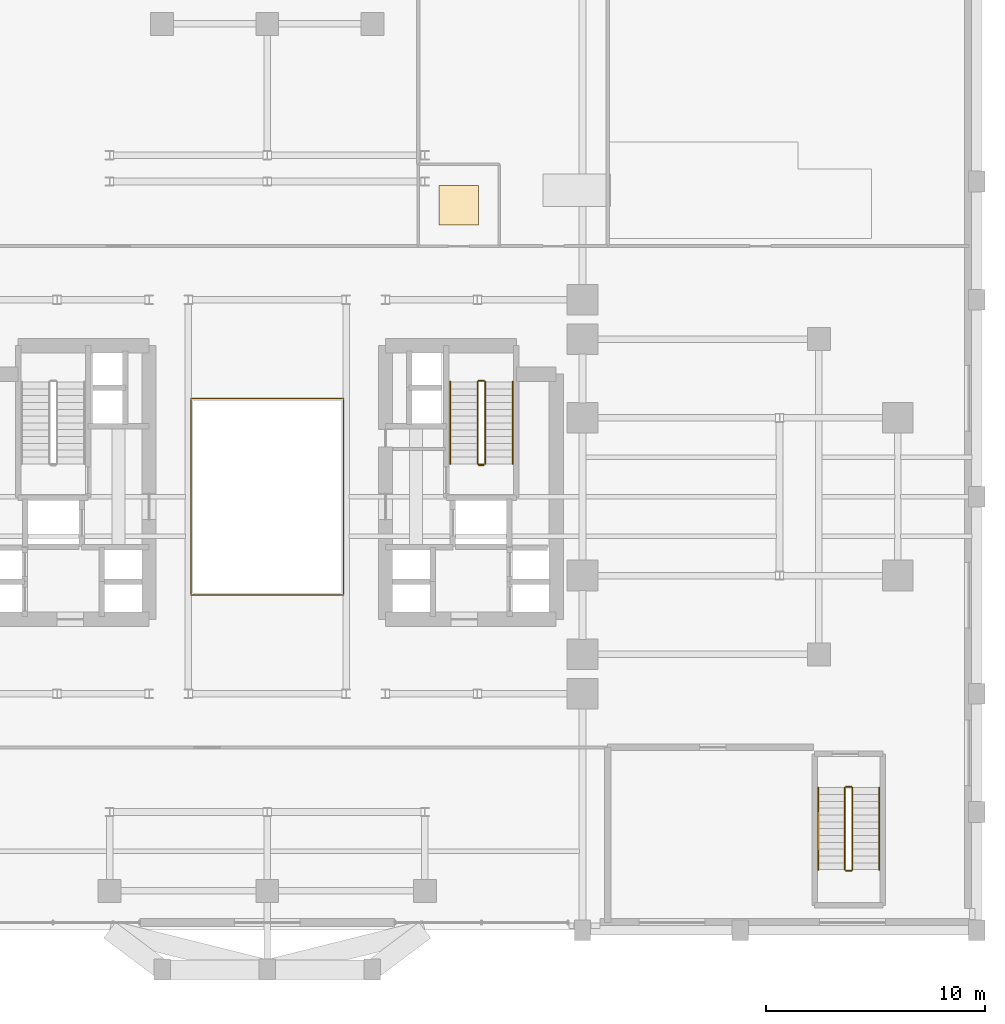
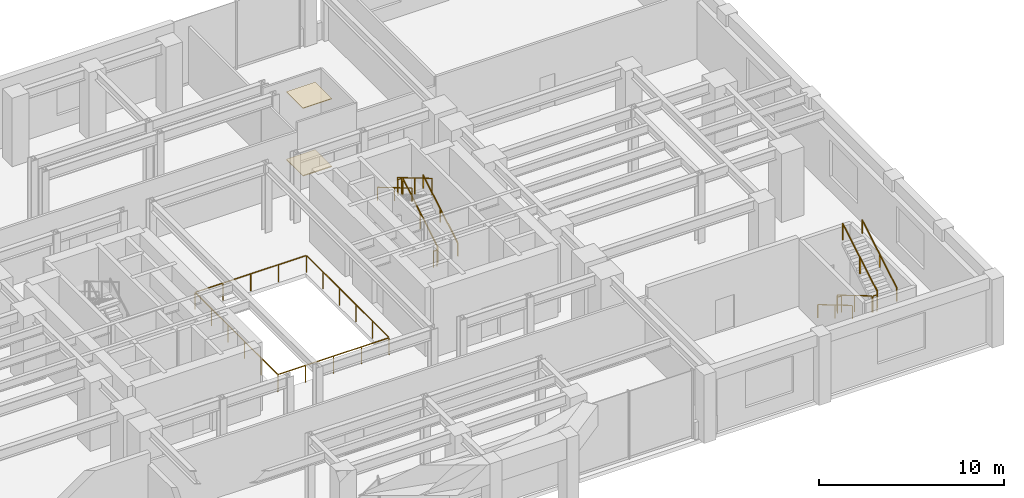
# One storey, part 14 of 14: 13 railings, 2 coverings.
"""IFC4 building model written with IfcOpenShell, lengths in metres."""

from ifc_helpers import new_model, si_unit, direction, frame, origin, origin_2d, place, context, subcontext, project, spatial, rectangle, extrude, source, transform, mapped, material, layer, layer_set, type_object, element, save


model = new_model("IFC4")

# Units and contexts
model_context = context("Model", 3, precision=1e-05, world=origin(), true_north=direction((0.0, 1.0)))
body_context = subcontext(model_context, "Body", "Model", "MODEL_VIEW")
ifc_project = project(units=[si_unit("LENGTHUNIT", "METRE"), si_unit("AREAUNIT", "SQUARE_METRE"), si_unit("VOLUMEUNIT", "CUBIC_METRE"), si_unit("PLANEANGLEUNIT", "RADIAN"), si_unit("MASSUNIT", "GRAM", prefix="KILO")], contexts=[model_context])

# Site, building, storey
site_placement = place(None, origin())
site = spatial("IfcSite", under=ifc_project, at=site_placement, CompositionType="ELEMENT")
building_placement = place(site_placement, origin())
building = spatial("IfcBuilding", under=site, at=building_placement, Name="Keilestroom Media Tower", CompositionType="ELEMENT")
storey_placement = place(building_placement, frame((0.0, 0.0, 5.39990234375)))
storey = spatial("IfcBuildingStorey", under=building, at=storey_placement, Name="L01", CompositionType="ELEMENT", Elevation=5.39990234375)

# Railings
ifc_material_1 = material(Name="Laminated Safety Glass & Bronze Steel", Category="steel")
railing_type_1 = type_object("IfcRailingType", Name="Atrium-Void-Guard-Balustrade-1150", PredefinedType="BALUSTRADE", material=ifc_material_1)
railing_1_placement = place(storey_placement, frame((-3.47998046875, -4.47998046875, 0.0)))
element("IfcRailing", 1, at=railing_1_placement, inside=storey, type_object=railing_type_1, Name="L01 Central Atrium Void Balustrade", PredefinedType="BALUSTRADE", context=body_context, shape_type="SweptSolid", body=[
    extrude(rectangle(XDim=0.048095703125, YDim=0.048095703125, at=origin_2d()), frame((0.0, 0.0, 1.1259765625), z_axis=(1.0, 0.0, 0.0), x_axis=(0.0, 1.0, 0.0)), (0.0, 0.0, 1.0), 6.911865234375),
    extrude(rectangle(XDim=0.048095703125, YDim=0.048095703125, at=origin_2d()), frame((6.9599609375, 0.048095703125, 1.1259765625), z_axis=(0.0, 1.0, 0.0), x_axis=(-1.0, 0.0, 0.0)), (0.0, 0.0, 1.0), 8.86376953125),
    extrude(rectangle(XDim=0.048095703125, YDim=0.048095703125, at=origin_2d()), frame((6.911865234375, 8.9599609375, 1.1259765625), z_axis=(-1.0, 0.0, 0.0), x_axis=(0.0, -1.0, 0.0)), (0.0, 0.0, 1.0), 6.86376953125),
    extrude(rectangle(XDim=0.048095703125, YDim=0.048095703125, at=origin_2d()), frame((0.0, 8.911865234375, 1.1259765625), z_axis=(0.0, -1.0, 0.0), x_axis=(1.0, 0.0, 0.0)), (0.0, 0.0, 1.0), 8.86376953125),
    extrude(rectangle(XDim=0.0419921875, YDim=0.0419921875, at=origin_2d()), origin(), (0.0, 0.0, 1.0), 1.09375),
    extrude(rectangle(XDim=0.0419921875, YDim=0.0419921875, at=origin_2d()), frame((1.739990234375, 0.0, 0.0)), (0.0, 0.0, 1.0), 1.09375),
    extrude(rectangle(XDim=0.0419921875, YDim=0.0419921875, at=origin_2d()), frame((3.47998046875, 0.0, 0.0)), (0.0, 0.0, 1.0), 1.09375),
    extrude(rectangle(XDim=0.0419921875, YDim=0.0419921875, at=origin_2d()), frame((5.219970703125, 0.0, 0.0)), (0.0, 0.0, 1.0), 1.09375),
    extrude(rectangle(XDim=0.0419921875, YDim=0.0419921875, at=origin_2d()), frame((6.9599609375, 0.0, 0.0)), (0.0, 0.0, 1.0), 1.09375),
    extrude(rectangle(XDim=0.0419921875, YDim=0.0419921875, at=origin_2d()), frame((6.9599609375, 1.7919921875, 0.0)), (0.0, 0.0, 1.0), 1.09375),
    extrude(rectangle(XDim=0.0419921875, YDim=0.0419921875, at=origin_2d()), frame((6.9599609375, 3.583984375, 0.0)), (0.0, 0.0, 1.0), 1.09375),
    extrude(rectangle(XDim=0.0419921875, YDim=0.0419921875, at=origin_2d()), frame((6.9599609375, 5.3759765625, 0.0)), (0.0, 0.0, 1.0), 1.09375),
    extrude(rectangle(XDim=0.0419921875, YDim=0.0419921875, at=origin_2d()), frame((6.9599609375, 7.16796875, 0.0)), (0.0, 0.0, 1.0), 1.09375),
    extrude(rectangle(XDim=0.0419921875, YDim=0.0419921875, at=origin_2d()), frame((6.9599609375, 8.9599609375, 0.0)), (0.0, 0.0, 1.0), 1.09375),
    extrude(rectangle(XDim=0.0419921875, YDim=0.0419921875, at=origin_2d()), frame((5.219970703125, 8.9599609375, 0.0)), (0.0, 0.0, 1.0), 1.09375),
    extrude(rectangle(XDim=0.0419921875, YDim=0.0419921875, at=origin_2d()), frame((3.47998046875, 8.9599609375, 0.0)), (0.0, 0.0, 1.0), 1.09375),
    extrude(rectangle(XDim=0.0419921875, YDim=0.0419921875, at=origin_2d()), frame((1.739990234375, 8.9599609375, 0.0)), (0.0, 0.0, 1.0), 1.09375),
    extrude(rectangle(XDim=0.0419921875, YDim=0.0419921875, at=origin_2d()), frame((0.0, 8.9599609375, 0.0)), (0.0, 0.0, 1.0), 1.09375),
    extrude(rectangle(XDim=0.0419921875, YDim=0.0419921875, at=origin_2d()), frame((0.0, 7.16796875, 0.0)), (0.0, 0.0, 1.0), 1.09375),
    extrude(rectangle(XDim=0.0419921875, YDim=0.0419921875, at=origin_2d()), frame((0.0, 5.3759765625, 0.0)), (0.0, 0.0, 1.0), 1.09375),
    extrude(rectangle(XDim=0.0419921875, YDim=0.0419921875, at=origin_2d()), frame((0.0, 3.583984375, 0.0)), (0.0, 0.0, 1.0), 1.09375),
    extrude(rectangle(XDim=0.0419921875, YDim=0.0419921875, at=origin_2d()), frame((0.0, 1.7919921875, 0.0)), (0.0, 0.0, 1.0), 1.09375),
])
ifc_material_2 = material(Name="Brushed Stainless Steel 1.4301", Category="steel")
railing_type_2 = type_object("IfcRailingType", Name="Stair-Pitch-Handrail-920", PredefinedType="HANDRAIL", material=ifc_material_2)
railing_2_placement = place(storey_placement, frame((11.2099609375, 1.5, 0.184814453125)))
element("IfcRailing", 2, at=railing_2_placement, inside=storey, type_object=railing_type_2, Name="L01 ST-2 stair handrail 1", PredefinedType="HANDRAIL", context=body_context, shape_type="SweptSolid", body=[
    extrude(rectangle(XDim=0.048095703125, YDim=0.048095703125, at=origin_2d()), frame((0.0, 0.0, 0.8759765625), z_axis=(0.0, 0.860621358501, 0.509245399872), x_axis=(-1.0, 0.0, 0.0)), (0.0, 0.0, 1.0), 4.350341796875),
    extrude(rectangle(XDim=0.0419921875, YDim=0.0419921875, at=origin_2d()), origin(), (0.0, 0.0, 1.0), 0.84375),
    extrude(rectangle(XDim=0.0419921875, YDim=0.0419921875, at=origin_2d()), frame((0.0, 1.8720703125, 1.107666015625)), (0.0, 0.0, 1.0), 0.84375),
    extrude(rectangle(XDim=0.0419921875, YDim=0.0419921875, at=origin_2d()), frame((0.0, 3.743896484375, 2.21533203125)), (0.0, 0.0, 1.0), 0.84375),
])
for number, where, name in (
    (3, (8.35009765625, 5.243896484375, 2.584716796875), "L01 ST-2 stair handrail 2"),
    (4, (25.169921875, -13.2900390625, 0.184814453125), "L01 ST-4 stair handrail 1"),
):
    element("IfcRailing", number, at=place(storey_placement, frame(where)), inside=storey, type_object=railing_type_2, Name=name, PredefinedType="HANDRAIL", context=body_context, shape_type="SweptSolid", body=[
        extrude(rectangle(XDim=0.048095703125, YDim=0.048095703125, at=origin_2d()), frame((0.0, 0.0, 0.8759765625), z_axis=(0.0, -0.860621358501, 0.509245399872), x_axis=(1.0, 0.0, 0.0)), (0.0, 0.0, 1.0), 4.350341796875),
        extrude(rectangle(XDim=0.0419921875, YDim=0.0419921875, at=origin_2d()), origin(), (0.0, 0.0, 1.0), 0.84375),
        extrude(rectangle(XDim=0.0419921875, YDim=0.0419921875, at=origin_2d()), frame((0.0, -1.8720703125, 1.107666015625)), (0.0, 0.0, 1.0), 0.84375),
        extrude(rectangle(XDim=0.0419921875, YDim=0.0419921875, at=origin_2d()), frame((0.0, -3.743896484375, 2.21533203125)), (0.0, 0.0, 1.0), 0.84375),
    ])
railing_3_placement = place(storey_placement, frame((27.949951171875, -17.033935546875, 2.584716796875)))
element("IfcRailing", 5, at=railing_3_placement, inside=storey, type_object=railing_type_2, Name="L01 ST-4 stair handrail 2", PredefinedType="HANDRAIL", context=body_context, shape_type="SweptSolid", body=[
    extrude(rectangle(XDim=0.048095703125, YDim=0.048095703125, at=origin_2d()), frame((0.0, 0.0, 0.8759765625), z_axis=(0.0, 0.860621358501, 0.509245399872), x_axis=(-1.0, 0.0, 0.0)), (0.0, 0.0, 1.0), 4.350341796875),
    extrude(rectangle(XDim=0.0419921875, YDim=0.0419921875, at=origin_2d()), origin(), (0.0, 0.0, 1.0), 0.84375),
    extrude(rectangle(XDim=0.0419921875, YDim=0.0419921875, at=origin_2d()), frame((0.0, 1.8720703125, 1.107666015625)), (0.0, 0.0, 1.0), 0.84375),
    extrude(rectangle(XDim=0.0419921875, YDim=0.0419921875, at=origin_2d()), frame((0.0, 3.743896484375, 2.21533203125)), (0.0, 0.0, 1.0), 0.84375),
])
ifc_material_3 = material(Name="Painted Steel Balustrade", Category="steel")
railing_type_3 = type_object("IfcRailingType", Name="Stair-Well-And-Landing-Guard-1100", PredefinedType="GUARDRAIL", material=ifc_material_3)
railing_4_placement = place(storey_placement, frame((9.949951171875, 1.5, 0.184814453125)))
element("IfcRailing", 6, at=railing_4_placement, inside=storey, type_object=railing_type_3, Name="L01 ST-2 stair guard 1", PredefinedType="GUARDRAIL", context=body_context, shape_type="SweptSolid", body=[
    extrude(rectangle(XDim=0.048095703125, YDim=0.048095703125, at=origin_2d()), frame((0.0, 0.0, 1.076171875), z_axis=(0.0, 0.860621358501, 0.509245399872), x_axis=(-1.0, 0.0, 0.0)), (0.0, 0.0, 1.0), 4.350341796875),
    extrude(rectangle(XDim=0.0419921875, YDim=0.0419921875, at=origin_2d()), origin(), (0.0, 0.0, 1.0), 1.0439453125),
    extrude(rectangle(XDim=0.0419921875, YDim=0.0419921875, at=origin_2d()), frame((0.0, 1.8720703125, 1.107666015625)), (0.0, 0.0, 1.0), 1.0439453125),
    extrude(rectangle(XDim=0.0419921875, YDim=0.0419921875, at=origin_2d()), frame((0.0, 3.743896484375, 2.21533203125)), (0.0, 0.0, 1.0), 1.0439453125),
])
railing_5_placement = place(storey_placement, frame((9.89990234375, 5.2939453125, 2.400146484375)))
element("IfcRailing", 7, at=railing_5_placement, inside=storey, type_object=railing_type_3, Name="L01 ST-2 stair guard 2", PredefinedType="GUARDRAIL", context=body_context, shape_type="SweptSolid", body=[
    extrude(rectangle(XDim=0.048095703125, YDim=0.048095703125, at=origin_2d()), frame((0.0, 0.0, 1.076171875), z_axis=(-1.0, 0.0, 0.0), x_axis=(0.0, -1.0, 0.0)), (0.0, 0.0, 1.0), 0.239990234375),
    extrude(rectangle(XDim=0.0419921875, YDim=0.0419921875, at=origin_2d()), origin(), (0.0, 0.0, 1.0), 1.0439453125),
    extrude(rectangle(XDim=0.0419921875, YDim=0.0419921875, at=origin_2d()), frame((-0.239990234375, 0.0, 0.0)), (0.0, 0.0, 1.0), 1.0439453125),
])
railing_6_placement = place(storey_placement, frame((9.610107421875, 5.243896484375, 2.584716796875)))
element("IfcRailing", 8, at=railing_6_placement, inside=storey, type_object=railing_type_3, Name="L01 ST-2 stair guard 3", PredefinedType="GUARDRAIL", context=body_context, shape_type="SweptSolid", body=[
    extrude(rectangle(XDim=0.048095703125, YDim=0.048095703125, at=origin_2d()), frame((0.0, 0.0, 1.076171875), z_axis=(0.0, -0.860621358501, 0.509245399872), x_axis=(1.0, 0.0, 0.0)), (0.0, 0.0, 1.0), 4.350341796875),
    extrude(rectangle(XDim=0.0419921875, YDim=0.0419921875, at=origin_2d()), origin(), (0.0, 0.0, 1.0), 1.0439453125),
    extrude(rectangle(XDim=0.0419921875, YDim=0.0419921875, at=origin_2d()), frame((0.0, -1.8720703125, 1.107666015625)), (0.0, 0.0, 1.0), 1.0439453125),
    extrude(rectangle(XDim=0.0419921875, YDim=0.0419921875, at=origin_2d()), frame((0.0, -3.743896484375, 2.21533203125)), (0.0, 0.0, 1.0), 1.0439453125),
])
railing_7_placement = place(storey_placement, frame((9.89990234375, 1.449951171875, 0.0)))
element("IfcRailing", 9, at=railing_7_placement, inside=storey, type_object=railing_type_3, Name="L01 ST-2 stair guard 4", PredefinedType="GUARDRAIL", context=body_context, shape_type="SweptSolid", body=[
    extrude(rectangle(XDim=0.048095703125, YDim=0.048095703125, at=origin_2d()), frame((0.0, 0.0, 1.076171875), z_axis=(-1.0, 0.0, 0.0), x_axis=(0.0, -1.0, 0.0)), (0.0, 0.0, 1.0), 0.239990234375),
    extrude(rectangle(XDim=0.0419921875, YDim=0.0419921875, at=origin_2d()), origin(), (0.0, 0.0, 1.0), 1.0439453125),
    extrude(rectangle(XDim=0.0419921875, YDim=0.0419921875, at=origin_2d()), frame((-0.239990234375, 0.0, 0.0)), (0.0, 0.0, 1.0), 1.0439453125),
])
railing_8_placement = place(storey_placement, frame((26.389892578125, -13.2900390625, 0.184814453125)))
element("IfcRailing", 10, at=railing_8_placement, inside=storey, type_object=railing_type_3, Name="L01 ST-4 stair guard 1", PredefinedType="GUARDRAIL", context=body_context, shape_type="SweptSolid", body=[
    extrude(rectangle(XDim=0.048095703125, YDim=0.048095703125, at=origin_2d()), frame((0.0, 0.0, 1.076171875), z_axis=(0.0, -0.860621358501, 0.509245399872), x_axis=(1.0, 0.0, 0.0)), (0.0, 0.0, 1.0), 4.350341796875),
    extrude(rectangle(XDim=0.0419921875, YDim=0.0419921875, at=origin_2d()), origin(), (0.0, 0.0, 1.0), 1.0439453125),
    extrude(rectangle(XDim=0.0419921875, YDim=0.0419921875, at=origin_2d()), frame((0.0, -1.8720703125, 1.107666015625)), (0.0, 0.0, 1.0), 1.0439453125),
    extrude(rectangle(XDim=0.0419921875, YDim=0.0419921875, at=origin_2d()), frame((0.0, -3.743896484375, 2.21533203125)), (0.0, 0.0, 1.0), 1.0439453125),
])
railing_9_placement = place(storey_placement, frame((26.43994140625, -17.083984375, 2.400146484375)))
element("IfcRailing", 11, at=railing_9_placement, inside=storey, type_object=railing_type_3, Name="L01 ST-4 stair guard 2", PredefinedType="GUARDRAIL", context=body_context, shape_type="SweptSolid", body=[
    extrude(rectangle(XDim=0.048095703125, YDim=0.048095703125, at=origin_2d()), frame((0.0, 0.0, 1.076171875), z_axis=(1.0, 0.0, 0.0), x_axis=(0.0, 1.0, 0.0)), (0.0, 0.0, 1.0), 0.239990234375),
    extrude(rectangle(XDim=0.0419921875, YDim=0.0419921875, at=origin_2d()), origin(), (0.0, 0.0, 1.0), 1.0439453125),
    extrude(rectangle(XDim=0.0419921875, YDim=0.0419921875, at=origin_2d()), frame((0.239990234375, 0.0, 0.0)), (0.0, 0.0, 1.0), 1.0439453125),
])
railing_10_placement = place(storey_placement, frame((26.72998046875, -17.033935546875, 2.584716796875)))
element("IfcRailing", 12, at=railing_10_placement, inside=storey, type_object=railing_type_3, Name="L01 ST-4 stair guard 3", PredefinedType="GUARDRAIL", context=body_context, shape_type="SweptSolid", body=[
    extrude(rectangle(XDim=0.048095703125, YDim=0.048095703125, at=origin_2d()), frame((0.0, 0.0, 1.076171875), z_axis=(0.0, 0.860621358501, 0.509245399872), x_axis=(-1.0, 0.0, 0.0)), (0.0, 0.0, 1.0), 4.350341796875),
    extrude(rectangle(XDim=0.0419921875, YDim=0.0419921875, at=origin_2d()), origin(), (0.0, 0.0, 1.0), 1.0439453125),
    extrude(rectangle(XDim=0.0419921875, YDim=0.0419921875, at=origin_2d()), frame((0.0, 1.8720703125, 1.107666015625)), (0.0, 0.0, 1.0), 1.0439453125),
    extrude(rectangle(XDim=0.0419921875, YDim=0.0419921875, at=origin_2d()), frame((0.0, 3.743896484375, 2.21533203125)), (0.0, 0.0, 1.0), 1.0439453125),
])
railing_11_placement = place(storey_placement, frame((26.43994140625, -13.239990234375, 0.0)))
element("IfcRailing", 13, at=railing_11_placement, inside=storey, type_object=railing_type_3, Name="L01 ST-4 stair guard 4", PredefinedType="GUARDRAIL", context=body_context, shape_type="SweptSolid", body=[
    extrude(rectangle(XDim=0.048095703125, YDim=0.048095703125, at=origin_2d()), frame((0.0, 0.0, 1.076171875), z_axis=(1.0, 0.0, 0.0), x_axis=(0.0, 1.0, 0.0)), (0.0, 0.0, 1.0), 0.239990234375),
    extrude(rectangle(XDim=0.0419921875, YDim=0.0419921875, at=origin_2d()), origin(), (0.0, 0.0, 1.0), 1.0439453125),
    extrude(rectangle(XDim=0.0419921875, YDim=0.0419921875, at=origin_2d()), frame((0.239990234375, 0.0, 0.0)), (0.0, 0.0, 1.0), 1.0439453125),
])

# Coverings
ifc_material_4 = material(Name="Mineral-Fibre Acoustic Ceiling Tile", Category="gypsum")
ifc_layer_1 = layer(ifc_material_4, 0.0400390625)
ifc_layer_set_1 = layer_set([ifc_layer_1], Name="Mineral-Fibre Acoustic Ceiling Tile")
covering_type_1 = type_object("IfcCoveringType", Name="Suspended-Acoustic-Ceiling-40", PredefinedType="CEILING", material=ifc_layer_set_1)
shared_shape_1 = source(origin(), body_context, "Body", "SweptSolid", [
    extrude(rectangle(XDim=1.800048828125, YDim=1.800048828125, at=origin_2d()), origin(), (0.0, 0.0, 1.0), 0.0400390625),
])
covering_1_placement = place(storey_placement, frame((8.75, 13.31494140625, 4.47998046875), z_axis=(0.0, 0.0, 1.0), x_axis=(1.0, 0.0, 0.0)))
element("IfcCovering", 14, at=covering_1_placement, inside=storey, type_object=covering_type_1, Name="L01 Suspended Acoustic Ceiling 1", PredefinedType="CEILING", context=body_context, shape_type="MappedRepresentation", body=[
    mapped(shared_shape_1, transform((0.0, 0.0, 0.0), x_axis=(1.0, 0.0, 0.0), y_axis=(0.0, 1.0, 0.0), z_axis=(0.0, 0.0, 1.0), scale=1.0)),
])
ifc_material_5 = material(Name="Calcium-Sulphate Raised Access Floor", Category="concrete")
ifc_layer_2 = layer(ifc_material_5, 0.06005859375)
ifc_layer_set_2 = layer_set([ifc_layer_2], Name="Calcium-Sulphate Raised Access Floor")
covering_type_2 = type_object("IfcCoveringType", Name="Raised-Access-And-Acoustic-Flooring-60", PredefinedType="FLOORING", material=ifc_layer_set_2)
shared_shape_2 = source(origin(), body_context, "Body", "SweptSolid", [
    extrude(rectangle(XDim=1.800048828125, YDim=1.800048828125, at=origin_2d()), origin(), (0.0, 0.0, 1.0), 0.06005859375),
])
covering_2_placement = place(storey_placement, frame((8.75, 13.31494140625, 0.0), z_axis=(0.0, 0.0, 1.0), x_axis=(1.0, 0.0, 0.0)))
element("IfcCovering", 15, at=covering_2_placement, inside=storey, type_object=covering_type_2, Name="L01 Raised Access Flooring 1", PredefinedType="FLOORING", context=body_context, shape_type="MappedRepresentation", body=[
    mapped(shared_shape_2, transform((0.0, 0.0, 0.0), x_axis=(1.0, 0.0, 0.0), y_axis=(0.0, 1.0, 0.0), z_axis=(0.0, 0.0, 1.0), scale=1.0)),
])

save(model, "model.ifc")
